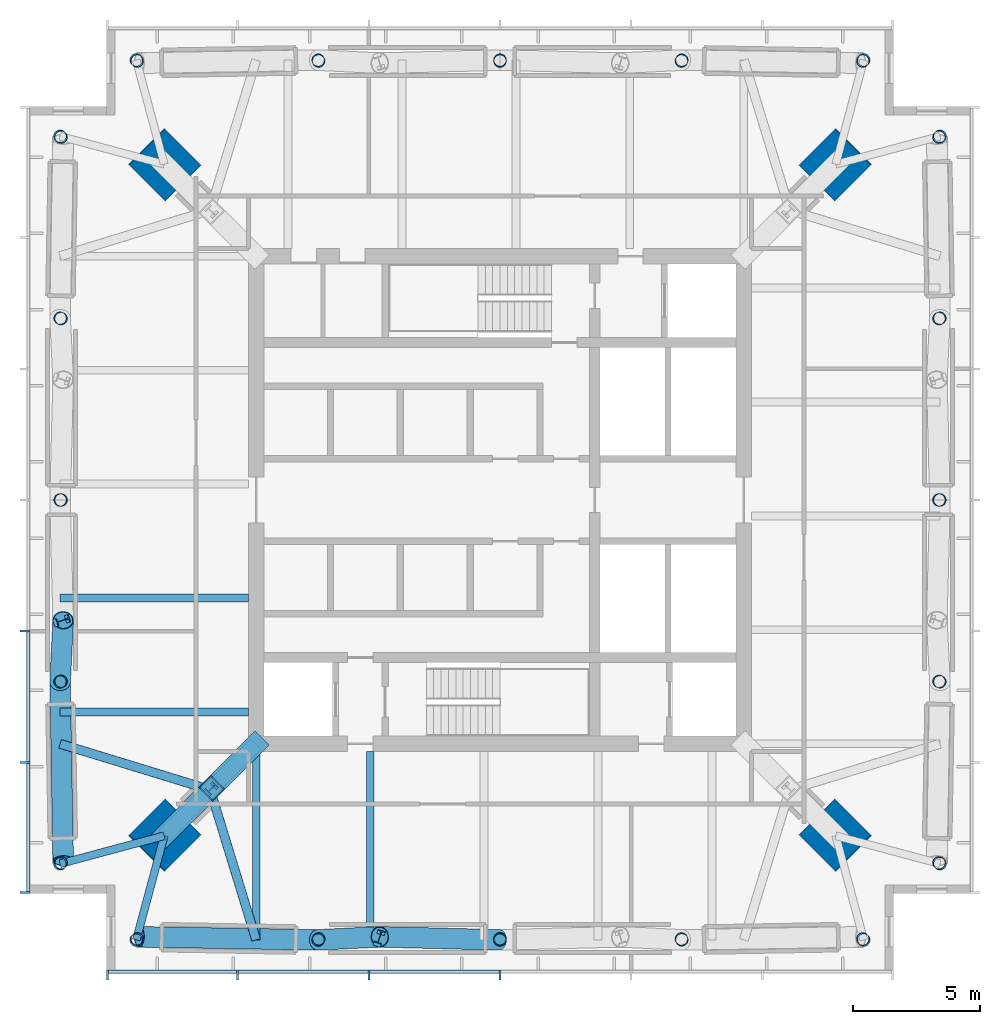
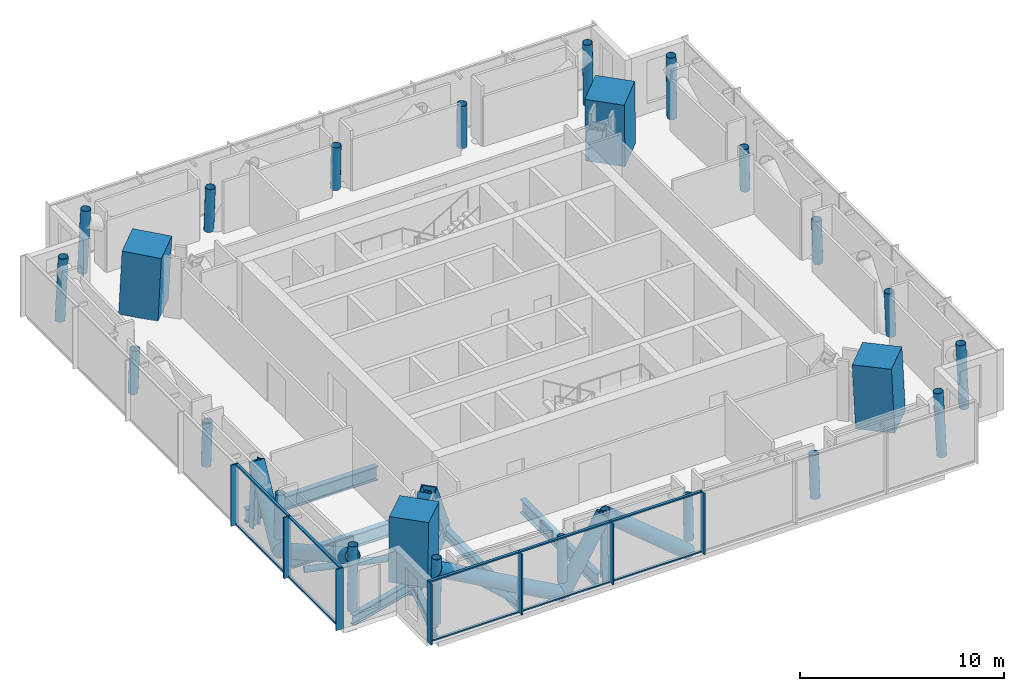
# One storey, part 1 of 8: 30 members, 24 columns, 6 beams, 2 elements without a shape of their own.
"""IFC4 building model written with IfcOpenShell, lengths in metres."""

from ifc_helpers import new_model, si_unit, direction, frame, origin, origin_2d, place, context, subcontext, project, spatial, rectangle, hollow_rectangle, hollow_circle, i_section, extrude, material, material_profile, profile_set, type_object, element, aggregate, save


model = new_model("IFC4")

# Units and contexts
model_context = context("Model", 3, precision=1e-05, world=origin(), true_north=direction((0.0, 1.0)))
body_context = subcontext(model_context, "Body", "Model", "MODEL_VIEW")
ifc_project = project(units=[si_unit("LENGTHUNIT", "METRE"), si_unit("AREAUNIT", "SQUARE_METRE"), si_unit("VOLUMEUNIT", "CUBIC_METRE"), si_unit("PLANEANGLEUNIT", "RADIAN"), si_unit("MASSUNIT", "GRAM", prefix="KILO")], contexts=[model_context])

# Site, building, storey
site_placement = place(None, origin())
site = spatial("IfcSite", under=ifc_project, at=site_placement, CompositionType="ELEMENT")
building_placement = place(site_placement, origin())
building = spatial("IfcBuilding", under=site, at=building_placement, Name="Ostroluk Exchange", CompositionType="ELEMENT")
storey_placement = place(building_placement, frame((0.0, 0.0, 230.0)))
storey = spatial("IfcBuildingStorey", under=building, at=storey_placement, Name="L59", CompositionType="ELEMENT", Elevation=230.0)

# Columns
ifc_material_1 = material(Name="Concrete C50/60", Category="concrete")
ifc_material_profile_1 = material_profile(ifc_material_1, rectangle(XDim=2.0, YDim=2.0, at=origin_2d()), Name="RC 2000x2000")
ifc_profile_set_1 = profile_set([ifc_material_profile_1], Name="Concrete C50/60")
column_type_1 = type_object("IfcColumnType", Name="Mega column RC 2000x2000", PredefinedType="COLUMN", material=ifc_profile_set_1)
for number, where, z_axis, x_axis, name in (
    (1, (58.221435546875, 59.221435546875, 0.0), (-0.031898107953, -0.031898107953, 0.998981992539), (0.707106781187, -0.707106781187, 0.0), "T1 mega column NE"),
    (2, (31.778564453125, 59.221435546875, 0.0), (0.031898107953, -0.031898107953, 0.998981992539), (0.707106781187, 0.707106781187, 0.0), "T1 mega column NW"),
    (3, (31.778564453125, 32.778564453125, 0.0), (0.031898107953, 0.031898107953, 0.998981992539), (-0.707106781187, 0.707106781187, 0.0), "T1 mega column SW"),
    (4, (58.221435546875, 32.778564453125, 0.0), (-0.031898107953, 0.031898107953, 0.998981992539), (-0.707106781187, -0.707106781187, 0.0), "T1 mega column SE"),
):
    element("IfcColumn", number, at=place(storey_placement, frame(where, z_axis=z_axis, x_axis=x_axis)), inside=storey, type_object=column_type_1, Name=name, PredefinedType="COLUMN", context=body_context, shape_type="SweptSolid", body=[
        extrude(rectangle(XDim=2.0, YDim=2.0, at=origin_2d()), origin(), (0.0, 0.0, 1.0), 3.803955078125),
    ])
ifc_material_2 = material(Name="Steel S460", Category="steel")
ifc_material_profile_2 = material_profile(ifc_material_2, hollow_circle(Radius=0.25390625, WallThickness=0.02001953125, at=origin_2d()), Name="CHS 508x20")
ifc_profile_set_2 = profile_set([ifc_material_profile_2], Name="Steel S460")
column_type_2 = type_object("IfcColumnType", Name="Perimeter column CHS 508x20", PredefinedType="COLUMN", material=ifc_profile_set_2)
for number, where, z_axis, x_axis, name in (
    (5, (62.321533203125, 31.678466796875, 0.0), (-0.031962158256, 0.031962158256, 0.998977898093), (-0.707106781187, -0.707106781187, 0.0), "T1 east face column E0"),
    (6, (62.321533203125, 60.321533203125, 0.0), (-0.031962158256, -0.031962158256, 0.998977898093), (0.707106781187, -0.707106781187, 0.0), "T1 east face column E1"),
):
    element("IfcColumn", number, at=place(storey_placement, frame(where, z_axis=z_axis, x_axis=x_axis)), inside=storey, type_object=column_type_2, Name=name, PredefinedType="COLUMN", context=body_context, shape_type="SweptSolid", body=[
        extrude(hollow_circle(Radius=0.25390625, WallThickness=0.02001953125, at=origin_2d()), origin(), (0.0, 0.0, 1.0), 3.803955078125),
    ])
column_1_placement = place(storey_placement, frame((62.321533203125, 38.83935546875, 0.0), z_axis=(-0.031998306947, 0.015952235135, 0.999360612865), x_axis=(-0.446163491012, -0.894951473147, 0.0)))
element("IfcColumn", 7, at=column_1_placement, inside=storey, type_object=column_type_2, Name="T1 east face column I1", PredefinedType="COLUMN", context=body_context, shape_type="SweptSolid", body=[
    extrude(hollow_circle(Radius=0.25390625, WallThickness=0.02001953125, at=origin_2d()), origin(), (0.0, 0.0, 1.0), 2.601806640625),
])
column_2_placement = place(storey_placement, frame((62.321533203125, 46.0, 0.0), z_axis=(-0.03200237909, 0.0, 0.999487792688), x_axis=(0.0, -1.0, 0.0)))
element("IfcColumn", 8, at=column_2_placement, inside=storey, type_object=column_type_2, Name="T1 east face column I2", PredefinedType="COLUMN", context=body_context, shape_type="SweptSolid", body=[
    extrude(hollow_circle(Radius=0.25390625, WallThickness=0.02001953125, at=origin_2d()), origin(), (0.0, 0.0, 1.0), 2.601318359375),
])
column_3_placement = place(storey_placement, frame((62.321533203125, 53.16064453125, 0.0), z_axis=(-0.031998306947, -0.015952235135, 0.999360612865), x_axis=(0.446163491012, -0.894951473147, 0.0)))
element("IfcColumn", 9, at=column_3_placement, inside=storey, type_object=column_type_2, Name="T1 east face column I3", PredefinedType="COLUMN", context=body_context, shape_type="SweptSolid", body=[
    extrude(hollow_circle(Radius=0.25390625, WallThickness=0.02001953125, at=origin_2d()), origin(), (0.0, 0.0, 1.0), 2.601806640625),
])
for number, where, z_axis, x_axis, name in (
    (10, (59.321533203125, 63.321533203125, 0.0), (-0.031962158256, -0.031962158256, 0.998977898093), (0.707106781187, -0.707106781187, 0.0), "T1 north face column E0"),
    (11, (30.678466796875, 63.321533203125, 0.0), (0.031962158256, -0.031962158256, 0.998977898093), (0.707106781187, 0.707106781187, 0.0), "T1 north face column E1"),
):
    element("IfcColumn", number, at=place(storey_placement, frame(where, z_axis=z_axis, x_axis=x_axis)), inside=storey, type_object=column_type_2, Name=name, PredefinedType="COLUMN", context=body_context, shape_type="SweptSolid", body=[
        extrude(hollow_circle(Radius=0.25390625, WallThickness=0.02001953125, at=origin_2d()), origin(), (0.0, 0.0, 1.0), 3.803955078125),
    ])
column_4_placement = place(storey_placement, frame((52.16064453125, 63.321533203125, 0.0), z_axis=(-0.015952235135, -0.031998306947, 0.999360612865), x_axis=(0.894951473147, -0.446163491012, 0.0)))
element("IfcColumn", 12, at=column_4_placement, inside=storey, type_object=column_type_2, Name="T1 north face column I1", PredefinedType="COLUMN", context=body_context, shape_type="SweptSolid", body=[
    extrude(hollow_circle(Radius=0.25390625, WallThickness=0.02001953125, at=origin_2d()), origin(), (0.0, 0.0, 1.0), 2.601806640625),
])
column_5_placement = place(storey_placement, frame((45.0, 63.321533203125, 0.0), z_axis=(0.0, -0.03200237909, 0.999487792688), x_axis=(1.0, 0.0, 0.0)))
element("IfcColumn", 13, at=column_5_placement, inside=storey, type_object=column_type_2, Name="T1 north face column I2", PredefinedType="COLUMN", context=body_context, shape_type="SweptSolid", body=[
    extrude(hollow_circle(Radius=0.25390625, WallThickness=0.02001953125, at=origin_2d()), origin(), (0.0, 0.0, 1.0), 2.601318359375),
])
column_6_placement = place(storey_placement, frame((37.83935546875, 63.321533203125, 0.0), z_axis=(0.015952235135, -0.031998306947, 0.999360612865), x_axis=(0.894951473147, 0.446163491012, 0.0)))
element("IfcColumn", 14, at=column_6_placement, inside=storey, type_object=column_type_2, Name="T1 north face column I3", PredefinedType="COLUMN", context=body_context, shape_type="SweptSolid", body=[
    extrude(hollow_circle(Radius=0.25390625, WallThickness=0.02001953125, at=origin_2d()), origin(), (0.0, 0.0, 1.0), 2.601806640625),
])
for number, where, z_axis, x_axis, name in (
    (15, (27.678466796875, 60.321533203125, 0.0), (0.031962158256, -0.031962158256, 0.998977898093), (0.707106781187, 0.707106781187, 0.0), "T1 west face column E0"),
    (16, (27.678466796875, 31.678466796875, 0.0), (0.031962158256, 0.031962158256, 0.998977898093), (-0.707106781187, 0.707106781187, 0.0), "T1 west face column E1"),
):
    element("IfcColumn", number, at=place(storey_placement, frame(where, z_axis=z_axis, x_axis=x_axis)), inside=storey, type_object=column_type_2, Name=name, PredefinedType="COLUMN", context=body_context, shape_type="SweptSolid", body=[
        extrude(hollow_circle(Radius=0.25390625, WallThickness=0.02001953125, at=origin_2d()), origin(), (0.0, 0.0, 1.0), 3.803955078125),
    ])
column_7_placement = place(storey_placement, frame((27.678466796875, 53.16064453125, 0.0), z_axis=(0.031998306947, -0.015952235135, 0.999360612865), x_axis=(0.446163491012, 0.894951473147, 0.0)))
element("IfcColumn", 17, at=column_7_placement, inside=storey, type_object=column_type_2, Name="T1 west face column I1", PredefinedType="COLUMN", context=body_context, shape_type="SweptSolid", body=[
    extrude(hollow_circle(Radius=0.25390625, WallThickness=0.02001953125, at=origin_2d()), origin(), (0.0, 0.0, 1.0), 2.601806640625),
])
column_8_placement = place(storey_placement, frame((27.678466796875, 46.0, 0.0), z_axis=(0.03200237909, 0.0, 0.999487792688), x_axis=(0.0, 1.0, 0.0)))
element("IfcColumn", 18, at=column_8_placement, inside=storey, type_object=column_type_2, Name="T1 west face column I2", PredefinedType="COLUMN", context=body_context, shape_type="SweptSolid", body=[
    extrude(hollow_circle(Radius=0.25390625, WallThickness=0.02001953125, at=origin_2d()), origin(), (0.0, 0.0, 1.0), 2.601318359375),
])
column_9_placement = place(storey_placement, frame((27.678466796875, 38.83935546875, 0.0), z_axis=(0.031998306947, 0.015952235135, 0.999360612865), x_axis=(-0.446163491012, 0.894951473147, 0.0)))
element("IfcColumn", 19, at=column_9_placement, inside=storey, type_object=column_type_2, Name="T1 west face column I3", PredefinedType="COLUMN", context=body_context, shape_type="SweptSolid", body=[
    extrude(hollow_circle(Radius=0.25390625, WallThickness=0.02001953125, at=origin_2d()), origin(), (0.0, 0.0, 1.0), 2.601806640625),
])
for number, where, z_axis, x_axis, name in (
    (20, (30.678466796875, 28.678466796875, 0.0), (0.031962158256, 0.031962158256, 0.998977898093), (-0.707106781187, 0.707106781187, 0.0), "T1 south face column E0"),
    (21, (59.321533203125, 28.678466796875, 0.0), (-0.031962158256, 0.031962158256, 0.998977898093), (-0.707106781187, -0.707106781187, 0.0), "T1 south face column E1"),
):
    element("IfcColumn", number, at=place(storey_placement, frame(where, z_axis=z_axis, x_axis=x_axis)), inside=storey, type_object=column_type_2, Name=name, PredefinedType="COLUMN", context=body_context, shape_type="SweptSolid", body=[
        extrude(hollow_circle(Radius=0.25390625, WallThickness=0.02001953125, at=origin_2d()), origin(), (0.0, 0.0, 1.0), 3.803955078125),
    ])
column_10_placement = place(storey_placement, frame((37.83935546875, 28.678466796875, 0.0), z_axis=(0.015952235135, 0.031998306947, 0.999360612865), x_axis=(-0.894951473147, 0.446163491012, 0.0)))
element("IfcColumn", 22, at=column_10_placement, inside=storey, type_object=column_type_2, Name="T1 south face column I1", PredefinedType="COLUMN", context=body_context, shape_type="SweptSolid", body=[
    extrude(hollow_circle(Radius=0.25390625, WallThickness=0.02001953125, at=origin_2d()), origin(), (0.0, 0.0, 1.0), 2.601806640625),
])
column_11_placement = place(storey_placement, frame((45.0, 28.678466796875, 0.0), z_axis=(0.0, 0.03200237909, 0.999487792688), x_axis=(-1.0, 0.0, 0.0)))
element("IfcColumn", 23, at=column_11_placement, inside=storey, type_object=column_type_2, Name="T1 south face column I2", PredefinedType="COLUMN", context=body_context, shape_type="SweptSolid", body=[
    extrude(hollow_circle(Radius=0.25390625, WallThickness=0.02001953125, at=origin_2d()), origin(), (0.0, 0.0, 1.0), 2.601318359375),
])
column_12_placement = place(storey_placement, frame((52.16064453125, 28.678466796875, 0.0), z_axis=(-0.015952235135, 0.031998306947, 0.999360612865), x_axis=(-0.894951473147, -0.446163491012, 0.0)))
element("IfcColumn", 24, at=column_12_placement, inside=storey, type_object=column_type_2, Name="T1 south face column I3", PredefinedType="COLUMN", context=body_context, shape_type="SweptSolid", body=[
    extrude(hollow_circle(Radius=0.25390625, WallThickness=0.02001953125, at=origin_2d()), origin(), (0.0, 0.0, 1.0), 2.601806640625),
])

# Members
ifc_material_3 = material(Name="Steel S460", Category="steel")
ifc_material_profile_3 = material_profile(ifc_material_3, hollow_circle(Radius=0.406494140625, WallThickness=0.030029296875, at=origin_2d()), Name="CHS 813x30")
ifc_profile_set_3 = profile_set([ifc_material_profile_3], Name="Steel S460")
member_type_1 = type_object("IfcMemberType", Name="Belt truss diagonal CHS 813x30", PredefinedType="BRACE", material=ifc_profile_set_3)
member_1_placement = place(storey_placement, frame((27.678466796875, 38.83935546875, -0.780029296875), z_axis=(0.026555607306, 0.530152304888, 0.84748647974), x_axis=(-0.998747825495, 0.050027802967, 0.0)))
element("IfcMember", 25, at=member_1_placement, inside=storey, type_object=member_type_1, Name="Belt truss 3 west diagonal 2.5", PredefinedType="BRACE", context=body_context, shape_type="SweptSolid", body=[
    extrude(hollow_circle(Radius=0.406494140625, WallThickness=0.030029296875, at=origin_2d()), origin(), (0.0, 0.0, 1.0), 4.578369140625),
])
for number, where, z_axis, x_axis, name in (
    (26, (27.678466796875, 38.83935546875, -0.780029296875), (0.015124435681, -0.875668381529, 0.482676016635), (0.999850874514, 0.017269300299, 0.0), "Belt truss 3 west diagonal 2.6"),
    (27, (37.83935546875, 28.678466796875, -0.780029296875), (-0.875668381529, 0.015124435681, 0.482676016635), (-0.017269300299, -0.999850874514, 0.0), "Belt truss 3 south diagonal 2.1"),
):
    element("IfcMember", number, at=place(storey_placement, frame(where, z_axis=z_axis, x_axis=x_axis)), inside=storey, type_object=member_type_1, Name=name, PredefinedType="BRACE", context=body_context, shape_type="SweptSolid", body=[
        extrude(hollow_circle(Radius=0.406494140625, WallThickness=0.030029296875, at=origin_2d()), origin(), (0.0, 0.0, 1.0), 8.038818359375),
    ])
member_2_placement = place(storey_placement, frame((37.83935546875, 28.678466796875, -0.780029296875), z_axis=(0.530152304888, 0.026555607306, 0.84748647974), x_axis=(-0.050027802967, 0.998747825495, 0.0)))
element("IfcMember", 28, at=member_2_placement, inside=storey, type_object=member_type_1, Name="Belt truss 3 south diagonal 2.2", PredefinedType="BRACE", context=body_context, shape_type="SweptSolid", body=[
    extrude(hollow_circle(Radius=0.406494140625, WallThickness=0.030029296875, at=origin_2d()), origin(), (0.0, 0.0, 1.0), 4.578369140625),
])
member_3_placement = place(storey_placement, frame((45.0, 28.678466796875, -0.780029296875), z_axis=(-0.773216157061, 0.01986082351, 0.633831461944), x_axis=(-0.0256775221, -0.999670278071, 0.0)))
element("IfcMember", 29, at=member_3_placement, inside=storey, type_object=member_type_1, Name="Belt truss 3 south diagonal 2.3", PredefinedType="BRACE", context=body_context, shape_type="SweptSolid", body=[
    extrude(hollow_circle(Radius=0.406494140625, WallThickness=0.030029296875, at=origin_2d()), origin(), (0.0, 0.0, 1.0), 6.12158203125),
])
ifc_material_4 = material(Name="Steel S460", Category="steel")
ifc_material_profile_4 = material_profile(ifc_material_4, i_section(OverallWidth=0.305908203125, OverallDepth=0.52392578125, WebThickness=0.02099609375, FlangeThickness=0.0400390625, FilletRadius=0.027099609375, at=origin_2d()), Name="HEM 500")
ifc_profile_set_4 = profile_set([ifc_material_profile_4], Name="Steel S460")
member_type_2 = type_object("IfcMemberType", Name="Belt truss post HEM 500", PredefinedType="POST", material=ifc_profile_set_4)
for number, where, z_axis, x_axis, name in (
    (30, (27.678466796875, 41.22607421875, -0.780029296875), (0.031317471578, 0.010439157193, 0.999454971457), (-0.316227766017, 0.948683298051, 0.0), "Belt truss 3 west post 2.4"),
    (31, (40.22607421875, 28.678466796875, -0.780029296875), (0.010439157193, 0.031317471578, 0.999454971457), (-0.948683298051, 0.316227766017, 0.0), "Belt truss 3 south post 2.2"),
):
    element("IfcMember", number, at=place(storey_placement, frame(where, z_axis=z_axis, x_axis=x_axis)), inside=storey, type_object=member_type_2, Name=name, PredefinedType="POST", context=body_context, shape_type="SweptSolid", body=[
        extrude(i_section(OverallWidth=0.305908203125, OverallDepth=0.52392578125, WebThickness=0.02099609375, FlangeThickness=0.0400390625, FilletRadius=0.027099609375, at=origin_2d()), origin(), (0.0, 0.0, 1.0), 3.88232421875),
    ])

# Beams
ifc_material_5 = material(Name="Steel S460", Category="steel")
ifc_material_profile_5 = material_profile(ifc_material_5, i_section(OverallWidth=0.304931640625, OverallDepth=0.6201171875, WebThickness=0.02099609375, FlangeThickness=0.0400390625, FilletRadius=0.027099609375, at=origin_2d()), Name="HEM 600")
ifc_profile_set_5 = profile_set([ifc_material_profile_5], Name="Steel S460")
beam_type_1 = type_object("IfcBeamType", Name="Corner edge beam HEM 600", PredefinedType="SPANDREL", material=ifc_profile_set_5)
for number, where, z_axis, x_axis, name in (
    (32, (31.778564453125, 32.778564453125, -0.590087890625), (-0.965838624319, -0.259144268261, 0.0), (0.259144268261, -0.965838624319, 0.0), "T1 west corner edge beam a"),
    (33, (31.778564453125, 32.778564453125, -0.590087890625), (-0.259144268261, -0.965838624319, 0.0), (0.965838624319, -0.259144268261, 0.0), "T1 west corner edge beam b"),
):
    element("IfcBeam", number, at=place(storey_placement, frame(where, z_axis=z_axis, x_axis=x_axis)), inside=storey, type_object=beam_type_1, Name=name, PredefinedType="SPANDREL", context=body_context, shape_type="SweptSolid", body=[
        extrude(i_section(OverallWidth=0.304931640625, OverallDepth=0.6201171875, WebThickness=0.02099609375, FlangeThickness=0.0400390625, FilletRadius=0.027099609375, at=origin_2d()), origin(), (0.0, 0.0, 1.0), 4.2451171875),
    ])
ifc_material_6 = material(Name="Steel S355", Category="steel")
ifc_material_profile_6 = material_profile(ifc_material_6, i_section(OverallWidth=0.302978515625, OverallDepth=0.81396484375, WebThickness=0.02099609375, FlangeThickness=0.0400390625, FilletRadius=0.030029296875, at=origin_2d()), Name="HEM 800")
ifc_profile_set_6 = profile_set([ifc_material_profile_6], Name="Steel S355")
beam_type_2 = type_object("IfcBeamType", Name="Floor beam HEM 800", PredefinedType="BEAM", material=ifc_profile_set_6)
for number, where, z_axis, x_axis, name in (
    (34, (35.10009765625, 42.139404296875, -0.68701171875), (-1.0, 0.0, 0.0), (0.0, -1.0, 0.0), "T1 west floor beam 3"),
    (35, (35.10009765625, 37.65234375, -0.68701171875), (-1.0, 0.0, 0.0), (0.0, -1.0, 0.0), "T1 west floor beam 4"),
    (36, (39.886962890625, 36.10009765625, -0.68701171875), (0.0, -1.0, 0.0), (1.0, 0.0, 0.0), "T1 south floor beam 1"),
):
    element("IfcBeam", number, at=place(storey_placement, frame(where, z_axis=z_axis, x_axis=x_axis)), inside=storey, type_object=beam_type_2, Name=name, PredefinedType="BEAM", context=body_context, shape_type="SweptSolid", body=[
        extrude(i_section(OverallWidth=0.302978515625, OverallDepth=0.81396484375, WebThickness=0.02099609375, FlangeThickness=0.0400390625, FilletRadius=0.030029296875, at=origin_2d()), origin(), (0.0, 0.0, 1.0), 7.421630859375),
    ])
ifc_material_7 = material(Name="Steel S355", Category="steel")
ifc_material_profile_7 = material_profile(ifc_material_7, i_section(OverallWidth=0.300048828125, OverallDepth=0.60009765625, WebThickness=0.015380859375, FlangeThickness=0.030029296875, FilletRadius=0.027099609375, at=origin_2d()), Name="HEB 600")
ifc_profile_set_7 = profile_set([ifc_material_profile_7], Name="Steel S355")
beam_type_3 = type_object("IfcBeamType", Name="Girder HEB 600", PredefinedType="BEAM", material=ifc_profile_set_7)
beam_placement = place(storey_placement, frame((35.39990234375, 36.10009765625, -0.580078125), z_axis=(0.0, -1.0, 0.0), x_axis=(1.0, 0.0, 0.0)))
element("IfcBeam", 37, at=beam_placement, inside=storey, type_object=beam_type_3, Name="T1 west girder", PredefinedType="BEAM", context=body_context, shape_type="SweptSolid", body=[
    extrude(i_section(OverallWidth=0.300048828125, OverallDepth=0.60009765625, WebThickness=0.015380859375, FlangeThickness=0.030029296875, FilletRadius=0.027099609375, at=origin_2d()), origin(), (0.0, 0.0, 1.0), 7.421630859375),
])

# Members
ifc_material_8 = material(Name="Steel S460", Category="steel")
ifc_material_profile_8 = material_profile(ifc_material_8, hollow_rectangle(XDim=0.60009765625, YDim=1.0, WallThickness=0.06005859375, at=origin_2d()), Name="BOX 600x1000x60")
ifc_profile_set_8 = profile_set([ifc_material_profile_8], Name="Steel S460")
member_type_3 = type_object("IfcMemberType", Name="Outrigger chord BOX 600x1000x60", PredefinedType="CHORD", material=ifc_profile_set_8)
member_4_placement = place(storey_placement, frame((35.39990234375, 36.39990234375, -0.780029296875), z_axis=(-0.707106781187, -0.707106781187, 0.0), x_axis=(0.707106781187, -0.707106781187, 0.0)))
element("IfcMember", 38, at=member_4_placement, inside=storey, type_object=member_type_3, Name="Outrigger 3 SW chord 2", PredefinedType="CHORD", context=body_context, shape_type="SweptSolid", body=[
    extrude(hollow_rectangle(XDim=0.60009765625, YDim=1.0, WallThickness=0.06005859375, at=origin_2d()), origin(), (0.0, 0.0, 1.0), 5.121337890625),
])
ifc_material_9 = material(Name="Steel S460", Category="steel")
ifc_material_profile_9 = material_profile(ifc_material_9, hollow_rectangle(XDim=0.800048828125, YDim=0.800048828125, WallThickness=0.050048828125, at=origin_2d()), Name="BOX 800x800x50")
ifc_profile_set_9 = profile_set([ifc_material_profile_9], Name="Steel S460")
member_type_4 = type_object("IfcMemberType", Name="Outrigger diagonal BOX 800x800x50", PredefinedType="BRACE", material=ifc_profile_set_9)
member_5_placement = place(storey_placement, frame((35.39990234375, 36.39990234375, -0.780029296875), z_axis=(-0.380251662815, -0.380251662815, 0.843099843348), x_axis=(0.707106781187, -0.707106781187, 0.0)))
element("IfcMember", 39, at=member_5_placement, inside=storey, type_object=member_type_4, Name="Outrigger 3 SW diagonal 2a", PredefinedType="BRACE", context=body_context, shape_type="SweptSolid", body=[
    extrude(hollow_rectangle(XDim=0.800048828125, YDim=0.800048828125, WallThickness=0.050048828125, at=origin_2d()), origin(), (0.0, 0.0, 1.0), 4.602294921875),
])
member_6_placement = place(storey_placement, frame((33.64990234375, 34.64990234375, 3.10009765625), z_axis=(-0.398434897527, -0.398434897527, -0.826135137169), x_axis=(0.707106781187, -0.707106781187, 0.0)))
element("IfcMember", 40, at=member_6_placement, inside=storey, type_object=member_type_4, Name="Outrigger 3 SW diagonal 2b", PredefinedType="BRACE", context=body_context, shape_type="SweptSolid", body=[
    extrude(hollow_rectangle(XDim=0.800048828125, YDim=0.800048828125, WallThickness=0.050048828125, at=origin_2d()), origin(), (0.0, 0.0, 1.0), 4.69677734375),
])
ifc_material_10 = material(Name="Steel S460", Category="steel")
ifc_material_profile_10 = material_profile(ifc_material_10, i_section(OverallWidth=0.306884765625, OverallDepth=0.431884765625, WebThickness=0.02099609375, FlangeThickness=0.0400390625, FilletRadius=0.027099609375, at=origin_2d()), Name="HEM 400")
ifc_profile_set_10 = profile_set([ifc_material_profile_10], Name="Steel S460")
member_type_5 = type_object("IfcMemberType", Name="Outrigger post HEM 400", PredefinedType="POST", material=ifc_profile_set_10)
member_7_placement = place(storey_placement, frame((33.58935546875, 34.58935546875, -0.780029296875), z_axis=(0.01560055591, 0.01560055591, 0.999756593032), x_axis=(-0.707106781187, 0.707106781187, 0.0)))
element("IfcMember", 41, at=member_7_placement, inside=storey, type_object=member_type_5, Name="Outrigger 3 SW post 2", PredefinedType="POST", context=body_context, shape_type="SweptSolid", body=[
    extrude(i_section(OverallWidth=0.306884765625, OverallDepth=0.431884765625, WebThickness=0.02099609375, FlangeThickness=0.0400390625, FilletRadius=0.027099609375, at=origin_2d()), origin(), (0.0, 0.0, 1.0), 3.881103515625),
])
ifc_material_11 = material(Name="Steel S460", Category="steel")
ifc_material_profile_11 = material_profile(ifc_material_11, hollow_circle(Radius=0.177734375, WallThickness=0.012451171875, at=origin_2d()), Name="CHS 355.6x12.5")
ifc_profile_set_11 = profile_set([ifc_material_profile_11], Name="Steel S460")
member_type_6 = type_object("IfcMemberType", Name="Plan bracing CHS 355.6x12.5", PredefinedType="BRACE", material=ifc_profile_set_11)
for number, where, z_axis, x_axis, name in (
    (42, (33.58935546875, 34.58935546875, -0.457763671875), (-0.956150538789, 0.292875651384, 0.0), (-0.292875651384, -0.956150538789, 0.0), "Plan bracing L59 SW a"),
    (43, (33.58935546875, 34.58935546875, -0.457763671875), (0.292875651384, -0.956150538789, 0.0), (0.956150538789, 0.292875651384, 0.0), "Plan bracing L59 SW b"),
):
    element("IfcMember", number, at=place(storey_placement, frame(where, z_axis=z_axis, x_axis=x_axis)), inside=storey, type_object=member_type_6, Name=name, PredefinedType="BRACE", context=body_context, shape_type="SweptSolid", body=[
        extrude(hollow_circle(Radius=0.177734375, WallThickness=0.012451171875, at=origin_2d()), origin(), (0.0, 0.0, 1.0), 6.181884765625),
    ])

# Curtain wall, members
ifc_material_12 = material(Name="Laminated clear glass", Category="glass")
curtain_wall_type = type_object("IfcCurtainWallType", Name="Office tower plant and sky lobby facade", PredefinedType="USERDEFINED", material=ifc_material_12)
curtain_wall_1_placement = place(storey_placement, origin())
curtain_wall_1 = element("IfcCurtainWall", 44, at=curtain_wall_1_placement, inside=storey, type_object=curtain_wall_type, Name="Office tower south facade L59", ObjectType="LOUVRED CURTAIN WALL", PredefinedType="USERDEFINED")
ifc_material_13 = material(Name="Aluminium mullion", Category="aluminium")
ifc_material_profile_12 = material_profile(ifc_material_13, rectangle(XDim=0.14990234375, YDim=0.080078125, at=origin_2d()), Name="Sill transom 80 x 150")
ifc_profile_set_12 = profile_set([ifc_material_profile_12], Name="Aluminium mullion")
member_type_7 = type_object("IfcMemberType", Name="Sill transom 80 x 150", PredefinedType="USERDEFINED", material=ifc_profile_set_12)
member_8_placement = place(storey_placement, frame((29.580078125, 27.425048828125, 0.0400390625), z_axis=(1.0, 0.0, 0.0), x_axis=(0.0, 1.0, 0.0)))
member_8 = element("IfcMember", 45, at=member_8_placement, type_object=member_type_7, Name="CW-P1 transom 1.1", ObjectType="TRANSOM", PredefinedType="USERDEFINED", context=body_context, shape_type="SweptSolid", body=[
    extrude(rectangle(XDim=0.14990234375, YDim=0.080078125, at=origin_2d()), origin(), (0.0, 0.0, 1.0), 5.046630859375),
])
member_9_placement = place(storey_placement, frame((29.580078125, 27.425048828125, 3.610107421875), z_axis=(1.0, 0.0, 0.0), x_axis=(0.0, 1.0, 0.0)))
member_9 = element("IfcMember", 46, at=member_9_placement, type_object=member_type_7, Name="CW-P1 transom 1.2", ObjectType="TRANSOM", PredefinedType="USERDEFINED", context=body_context, shape_type="SweptSolid", body=[
    extrude(rectangle(XDim=0.14990234375, YDim=0.080078125, at=origin_2d()), origin(), (0.0, 0.0, 1.0), 5.046630859375),
])
member_10_placement = place(storey_placement, frame((34.706787109375, 27.425048828125, 0.0400390625), z_axis=(1.0, 0.0, 0.0), x_axis=(0.0, 1.0, 0.0)))
member_10 = element("IfcMember", 47, at=member_10_placement, type_object=member_type_7, Name="CW-P1 transom 2.1", ObjectType="TRANSOM", PredefinedType="USERDEFINED", context=body_context, shape_type="SweptSolid", body=[
    extrude(rectangle(XDim=0.14990234375, YDim=0.080078125, at=origin_2d()), origin(), (0.0, 0.0, 1.0), 5.08642578125),
])
member_11_placement = place(storey_placement, frame((34.706787109375, 27.425048828125, 3.610107421875), z_axis=(1.0, 0.0, 0.0), x_axis=(0.0, 1.0, 0.0)))
member_11 = element("IfcMember", 48, at=member_11_placement, type_object=member_type_7, Name="CW-P1 transom 2.2", ObjectType="TRANSOM", PredefinedType="USERDEFINED", context=body_context, shape_type="SweptSolid", body=[
    extrude(rectangle(XDim=0.14990234375, YDim=0.080078125, at=origin_2d()), origin(), (0.0, 0.0, 1.0), 5.08642578125),
])
member_12_placement = place(storey_placement, frame((39.873291015625, 27.425048828125, 0.0400390625), z_axis=(1.0, 0.0, 0.0), x_axis=(0.0, 1.0, 0.0)))
member_12 = element("IfcMember", 49, at=member_12_placement, type_object=member_type_7, Name="CW-P1 transom 3.1", ObjectType="TRANSOM", PredefinedType="USERDEFINED", context=body_context, shape_type="SweptSolid", body=[
    extrude(rectangle(XDim=0.14990234375, YDim=0.080078125, at=origin_2d()), origin(), (0.0, 0.0, 1.0), 5.086669921875),
])
member_13_placement = place(storey_placement, frame((39.873291015625, 27.425048828125, 3.610107421875), z_axis=(1.0, 0.0, 0.0), x_axis=(0.0, 1.0, 0.0)))
member_13 = element("IfcMember", 50, at=member_13_placement, type_object=member_type_7, Name="CW-P1 transom 3.2", ObjectType="TRANSOM", PredefinedType="USERDEFINED", context=body_context, shape_type="SweptSolid", body=[
    extrude(rectangle(XDim=0.14990234375, YDim=0.080078125, at=origin_2d()), origin(), (0.0, 0.0, 1.0), 5.086669921875),
])

curtain_wall_2_placement = place(storey_placement, origin())
curtain_wall_2 = element("IfcCurtainWall", 51, at=curtain_wall_2_placement, inside=storey, type_object=curtain_wall_type, Name="Office tower west facade L59", ObjectType="LOUVRED CURTAIN WALL", PredefinedType="USERDEFINED")
member_14_placement = place(storey_placement, frame((26.425048828125, 40.793212890625, 0.0400390625), z_axis=(0.0, -1.0, 0.0), x_axis=(1.0, 0.0, 0.0)))
member_14 = element("IfcMember", 52, at=member_14_placement, type_object=member_type_7, Name="CW-P1 transom 5.1", ObjectType="TRANSOM", PredefinedType="USERDEFINED", context=body_context, shape_type="SweptSolid", body=[
    extrude(rectangle(XDim=0.14990234375, YDim=0.080078125, at=origin_2d()), origin(), (0.0, 0.0, 1.0), 5.08642578125),
])
member_15_placement = place(storey_placement, frame((26.425048828125, 40.793212890625, 3.610107421875), z_axis=(0.0, -1.0, 0.0), x_axis=(1.0, 0.0, 0.0)))
member_15 = element("IfcMember", 53, at=member_15_placement, type_object=member_type_7, Name="CW-P1 transom 5.2", ObjectType="TRANSOM", PredefinedType="USERDEFINED", context=body_context, shape_type="SweptSolid", body=[
    extrude(rectangle(XDim=0.14990234375, YDim=0.080078125, at=origin_2d()), origin(), (0.0, 0.0, 1.0), 5.08642578125),
])
member_16_placement = place(storey_placement, frame((26.425048828125, 35.626708984375, 0.0400390625), z_axis=(0.0, -1.0, 0.0), x_axis=(1.0, 0.0, 0.0)))
member_16 = element("IfcMember", 54, at=member_16_placement, type_object=member_type_7, Name="CW-P1 transom 6.1", ObjectType="TRANSOM", PredefinedType="USERDEFINED", context=body_context, shape_type="SweptSolid", body=[
    extrude(rectangle(XDim=0.14990234375, YDim=0.080078125, at=origin_2d()), origin(), (0.0, 0.0, 1.0), 5.046630859375),
])
member_17_placement = place(storey_placement, frame((26.425048828125, 35.626708984375, 3.610107421875), z_axis=(0.0, -1.0, 0.0), x_axis=(1.0, 0.0, 0.0)))
member_17 = element("IfcMember", 55, at=member_17_placement, type_object=member_type_7, Name="CW-P1 transom 6.2", ObjectType="TRANSOM", PredefinedType="USERDEFINED", context=body_context, shape_type="SweptSolid", body=[
    extrude(rectangle(XDim=0.14990234375, YDim=0.080078125, at=origin_2d()), origin(), (0.0, 0.0, 1.0), 5.046630859375),
])

# Member
ifc_material_14 = material(Name="Aluminium mullion with limestone facing", Category="masonry")
ifc_material_profile_13 = material_profile(ifc_material_14, rectangle(XDim=0.39990234375, YDim=0.080078125, at=origin_2d()), Name="Tracery mullion 80 x 400")
ifc_profile_set_13 = profile_set([ifc_material_profile_13], Name="Aluminium mullion with limestone facing")
member_type_8 = type_object("IfcMemberType", Name="Tracery mullion 80 x 400", PredefinedType="MULLION", material=ifc_profile_set_13)
member_18_placement = place(storey_placement, frame((29.5400390625, 27.300048828125, 0.0), z_axis=(0.0, 0.0, 1.0), x_axis=(0.0, 1.0, 0.0)))
member_18 = element("IfcMember", 56, at=member_18_placement, type_object=member_type_8, Name="CW-P1 mullion 1", PredefinedType="MULLION", context=body_context, shape_type="SweptSolid", body=[
    extrude(rectangle(XDim=0.39990234375, YDim=0.080078125, at=origin_2d()), origin(), (0.0, 0.0, 1.0), 3.64990234375),
])

member_19_placement = place(storey_placement, frame((34.666748046875, 27.300048828125, 0.0), z_axis=(0.0, 0.0, 1.0), x_axis=(0.0, 1.0, 0.0)))
member_19 = element("IfcMember", 57, at=member_19_placement, type_object=member_type_8, Name="CW-P1 mullion 2", PredefinedType="MULLION", context=body_context, shape_type="SweptSolid", body=[
    extrude(rectangle(XDim=0.39990234375, YDim=0.080078125, at=origin_2d()), origin(), (0.0, 0.0, 1.0), 3.64990234375),
])

member_20_placement = place(storey_placement, frame((39.833251953125, 27.300048828125, 0.0), z_axis=(0.0, 0.0, 1.0), x_axis=(0.0, 1.0, 0.0)))
member_20 = element("IfcMember", 58, at=member_20_placement, type_object=member_type_8, Name="CW-P1 mullion 3", PredefinedType="MULLION", context=body_context, shape_type="SweptSolid", body=[
    extrude(rectangle(XDim=0.39990234375, YDim=0.080078125, at=origin_2d()), origin(), (0.0, 0.0, 1.0), 3.64990234375),
])

member_21_placement = place(storey_placement, frame((45.0, 27.300048828125, 0.0), z_axis=(0.0, 0.0, 1.0), x_axis=(0.0, 1.0, 0.0)))
member_21 = element("IfcMember", 59, at=member_21_placement, type_object=member_type_8, Name="CW-P1 mullion 4", PredefinedType="MULLION", context=body_context, shape_type="SweptSolid", body=[
    extrude(rectangle(XDim=0.39990234375, YDim=0.080078125, at=origin_2d()), origin(), (0.0, 0.0, 1.0), 3.64990234375),
])

aggregate(curtain_wall_1, [member_18, member_19, member_20, member_21, member_8, member_9, member_10, member_11, member_12, member_13])

member_22_placement = place(storey_placement, frame((26.300048828125, 40.833251953125, 0.0), z_axis=(0.0, 0.0, 1.0), x_axis=(1.0, 0.0, 0.0)))
member_22 = element("IfcMember", 60, at=member_22_placement, type_object=member_type_8, Name="CW-P1 mullion 5", PredefinedType="MULLION", context=body_context, shape_type="SweptSolid", body=[
    extrude(rectangle(XDim=0.39990234375, YDim=0.080078125, at=origin_2d()), origin(), (0.0, 0.0, 1.0), 3.64990234375),
])

member_23_placement = place(storey_placement, frame((26.300048828125, 35.666748046875, 0.0), z_axis=(0.0, 0.0, 1.0), x_axis=(1.0, 0.0, 0.0)))
member_23 = element("IfcMember", 61, at=member_23_placement, type_object=member_type_8, Name="CW-P1 mullion 6", PredefinedType="MULLION", context=body_context, shape_type="SweptSolid", body=[
    extrude(rectangle(XDim=0.39990234375, YDim=0.080078125, at=origin_2d()), origin(), (0.0, 0.0, 1.0), 3.64990234375),
])

member_24_placement = place(storey_placement, frame((26.300048828125, 30.5400390625, 0.0), z_axis=(0.0, 0.0, 1.0), x_axis=(1.0, 0.0, 0.0)))
member_24 = element("IfcMember", 62, at=member_24_placement, type_object=member_type_8, Name="CW-P1 mullion 7", PredefinedType="MULLION", context=body_context, shape_type="SweptSolid", body=[
    extrude(rectangle(XDim=0.39990234375, YDim=0.080078125, at=origin_2d()), origin(), (0.0, 0.0, 1.0), 3.64990234375),
])

aggregate(curtain_wall_2, [member_22, member_23, member_24, member_14, member_15, member_16, member_17])

save(model, "model.ifc")
